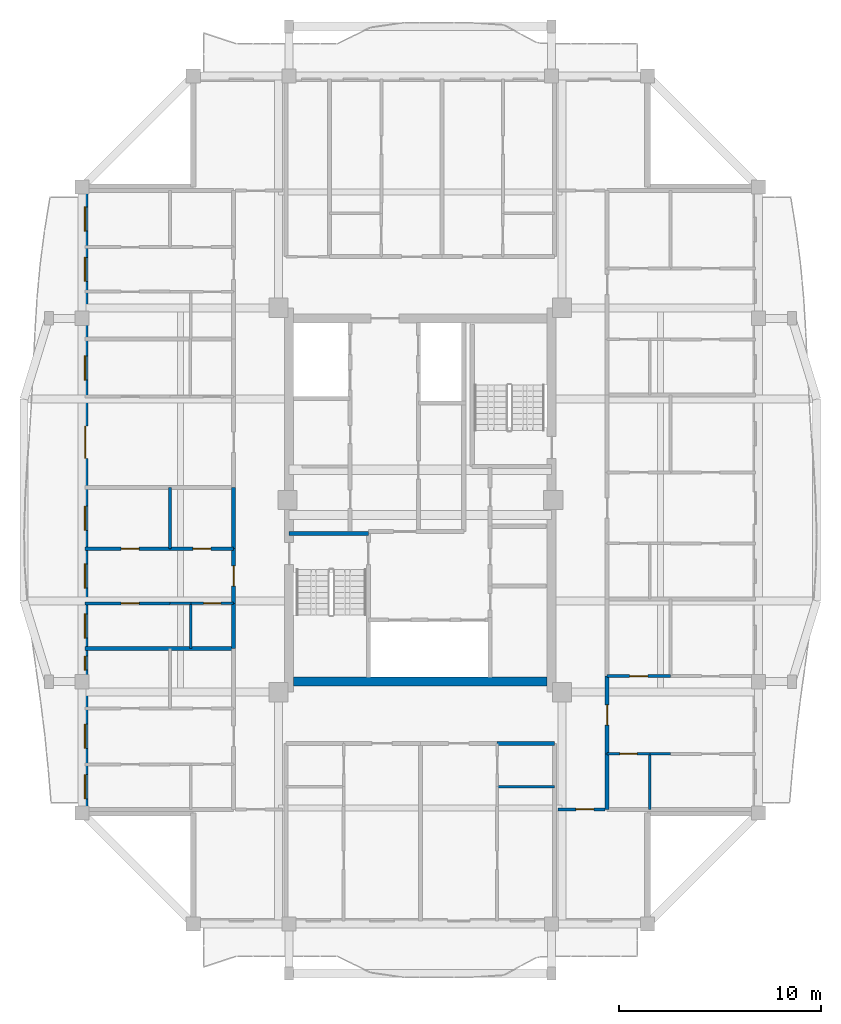
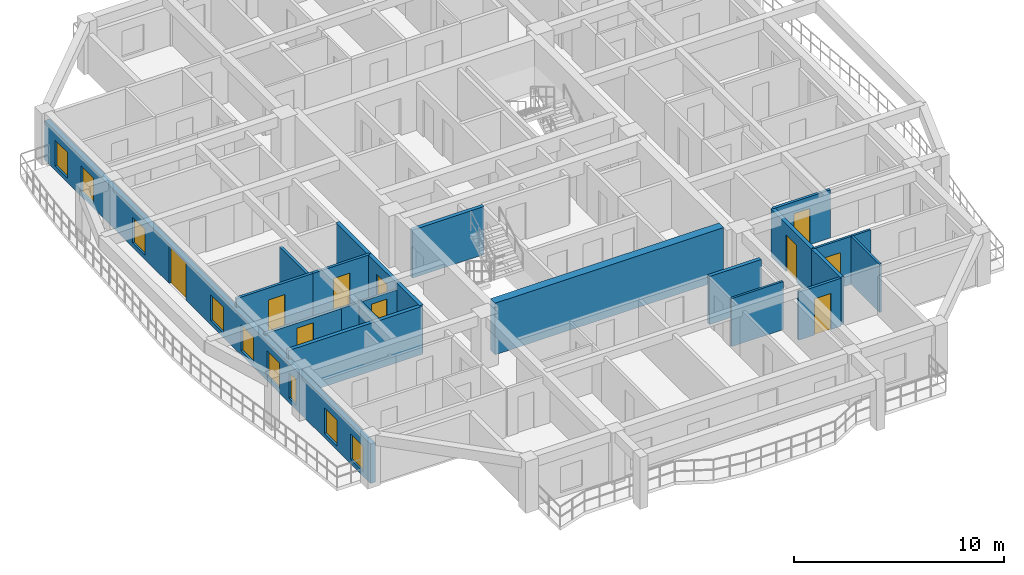
# One storey, part 3 of 14: 23 walls, 10 doors, 9 windows, 19 openings.
"""IFC4 building model written with IfcOpenShell, lengths in metres."""

from ifc_helpers import new_model, si_unit, direction, frame, frame_2d, origin, place, context, subcontext, project, spatial, rectangle, extrude, source, transform, mapped, material, layer, layer_set, type_object, element, fill, save


model = new_model("IFC4")

# Units and contexts
model_context = context("Model", 3, precision=1e-05, world=origin(), true_north=direction((0.0, 1.0)))
body_context = subcontext(model_context, "Body", "Model", "MODEL_VIEW")
ifc_project = project(units=[si_unit("LENGTHUNIT", "METRE"), si_unit("AREAUNIT", "SQUARE_METRE"), si_unit("VOLUMEUNIT", "CUBIC_METRE"), si_unit("PLANEANGLEUNIT", "RADIAN"), si_unit("MASSUNIT", "GRAM", prefix="KILO")], contexts=[model_context])

# Site, building, storey
site_placement = place(None, origin())
site = spatial("IfcSite", under=ifc_project, at=site_placement, CompositionType="ELEMENT")
building_placement = place(site_placement, origin())
building = spatial("IfcBuilding", under=site, at=building_placement, Name="Saelheon Loggia Tower", CompositionType="ELEMENT")
storey_placement = place(building_placement, frame((0.0, 0.0, 233.10009765625)))
storey = spatial("IfcBuildingStorey", under=building, at=storey_placement, Name="L72", CompositionType="ELEMENT", Elevation=233.10009765625)

# Wall
ifc_material_1 = material(Name="Concrete C45/55", Category="concrete")
ifc_layer_1 = layer(ifc_material_1, 0.449951171875)
ifc_layer_set_1 = layer_set([ifc_layer_1], Name="Concrete C45/55")
wall_type_1 = type_object("IfcWallType", Name="Wall_CoreShear_450", PredefinedType="SHEAR", material=ifc_layer_set_1)
wall_1_placement = place(storey_placement, frame((31.72509765625, 18.0, 0.0), z_axis=(0.0, 0.0, 1.0), x_axis=(1.0, 0.0, 0.0)))
element("IfcWall", 1, at=wall_1_placement, inside=storey, type_object=wall_type_1, Name="L72 Core Shear Wall South", PredefinedType="SHEAR", context=body_context, shape_type="SweptSolid", body=[
    extrude(rectangle(XDim=12.5498046875, YDim=0.449951171875, at=frame_2d((6.27490234375, 0.0))), origin(), (0.0, 0.0, 1.0), 3.0),
])

# Wall, openings, windows, door
ifc_material_2 = material(Name="Architectural Precast Concrete C40/50", Category="concrete")
ifc_layer_2 = layer(ifc_material_2, 0.280029296875)
ifc_layer_set_2 = layer_set([ifc_layer_2], Name="Architectural Precast Concrete C40/50")
wall_type_2 = type_object("IfcWallType", Name="Wall_Ext_Loggia_280", PredefinedType="SOLIDWALL", material=ifc_layer_set_2)
wall_2_placement = place(storey_placement, frame((21.389892578125, 11.5, 0.0), z_axis=(0.0, 0.0, 1.0), x_axis=(0.0, 1.0, 0.0)))
wall_2 = element("IfcWall", 2, at=wall_2_placement, inside=storey, type_object=wall_type_2, Name="L72 West Loggia Inner Wall", PredefinedType="SOLIDWALL", context=body_context, shape_type="SweptSolid", body=[
    extrude(rectangle(XDim=31.0, YDim=0.280029296875, at=frame_2d((15.5, 0.0))), origin(), (0.0, 0.0, 1.0), 2.27978515625),
])
opening_1_placement = place(wall_2_placement, frame((0.7001953125, 0.0, 0.25)))
opening_1 = element("IfcOpeningElement", 3, at=opening_1_placement, cuts=wall_2, Name="Opening WN-03", PredefinedType="OPENING", context=body_context, shape_type="SweptSolid", body=[
    extrude(rectangle(XDim=1.199951171875, YDim=1.5, at=frame_2d((0.60009765625, 0.75))), frame((0.0, 0.152099609375, 0.0), z_axis=(0.0, -1.0, 0.0), x_axis=(1.0, 0.0, 0.0)), (0.0, 0.0, 1.0), 0.303955078125),
])
opening_2_placement = place(wall_2_placement, frame((3.1953125, 0.0, 0.25)))
opening_2 = element("IfcOpeningElement", 4, at=opening_2_placement, cuts=wall_2, Name="Opening WN-03", PredefinedType="OPENING", context=body_context, shape_type="SweptSolid", body=[
    extrude(rectangle(XDim=1.199951171875, YDim=1.5, at=frame_2d((0.60009765625, 0.75))), frame((0.0, 0.152099609375, 0.0), z_axis=(0.0, -1.0, 0.0), x_axis=(1.0, 0.0, 0.0)), (0.0, 0.0, 1.0), 0.303955078125),
])
opening_3_placement = place(wall_2_placement, frame((7.068115234375, 0.0, 0.25)))
opening_3 = element("IfcOpeningElement", 5, at=opening_3_placement, cuts=wall_2, Name="Opening WN-06", PredefinedType="OPENING", context=body_context, shape_type="SweptSolid", body=[
    extrude(rectangle(XDim=0.699951171875, YDim=1.5, at=frame_2d((0.35009765625, 0.75))), frame((0.0, 0.152099609375, 0.0), z_axis=(0.0, -1.0, 0.0), x_axis=(1.0, 0.0, 0.0)), (0.0, 0.0, 1.0), 0.303955078125),
])
opening_4_placement = place(wall_2_placement, frame((8.66162109375, 0.0, 0.25)))
opening_4 = element("IfcOpeningElement", 6, at=opening_4_placement, cuts=wall_2, Name="Opening WN-03", PredefinedType="OPENING", context=body_context, shape_type="SweptSolid", body=[
    extrude(rectangle(XDim=1.199951171875, YDim=1.5, at=frame_2d((0.60009765625, 0.75))), frame((0.0, 0.152099609375, 0.0), z_axis=(0.0, -1.0, 0.0), x_axis=(1.0, 0.0, 0.0)), (0.0, 0.0, 1.0), 0.303955078125),
])
opening_5_placement = place(wall_2_placement, frame((11.13134765625, 0.0, 0.25)))
opening_5 = element("IfcOpeningElement", 7, at=opening_5_placement, cuts=wall_2, Name="Opening WN-03", PredefinedType="OPENING", context=body_context, shape_type="SweptSolid", body=[
    extrude(rectangle(XDim=1.199951171875, YDim=1.5, at=frame_2d((0.60009765625, 0.75))), frame((0.0, 0.152099609375, 0.0), z_axis=(0.0, -1.0, 0.0), x_axis=(1.0, 0.0, 0.0)), (0.0, 0.0, 1.0), 0.303955078125),
])
opening_6_placement = place(wall_2_placement, frame((13.999267578125, 0.0, 0.25)))
opening_6 = element("IfcOpeningElement", 8, at=opening_6_placement, cuts=wall_2, Name="Opening WN-03", PredefinedType="OPENING", context=body_context, shape_type="SweptSolid", body=[
    extrude(rectangle(XDim=1.199951171875, YDim=1.5, at=frame_2d((0.60009765625, 0.75))), frame((0.0, 0.152099609375, 0.0), z_axis=(0.0, -1.0, 0.0), x_axis=(1.0, 0.0, 0.0)), (0.0, 0.0, 1.0), 0.303955078125),
])
opening_7_placement = place(wall_2_placement, frame((17.564697265625, 0.0, 0.0)))
opening_7 = element("IfcOpeningElement", 9, at=opening_7_placement, cuts=wall_2, Name="Opening DLG-1", PredefinedType="OPENING", context=body_context, shape_type="SweptSolid", body=[
    extrude(rectangle(XDim=1.60009765625, YDim=2.14990234375, at=frame_2d((0.800048828125, 1.074951171875))), frame((0.0, 0.152099609375, 0.0), z_axis=(0.0, -1.0, 0.0), x_axis=(1.0, 0.0, 0.0)), (0.0, 0.0, 1.0), 0.303955078125),
])
opening_8_placement = place(wall_2_placement, frame((21.44140625, 0.0, 0.25)))
opening_8 = element("IfcOpeningElement", 10, at=opening_8_placement, cuts=wall_2, Name="Opening WN-03", PredefinedType="OPENING", context=body_context, shape_type="SweptSolid", body=[
    extrude(rectangle(XDim=1.199951171875, YDim=1.5, at=frame_2d((0.60009765625, 0.75))), frame((0.0, 0.152099609375, 0.0), z_axis=(0.0, -1.0, 0.0), x_axis=(1.0, 0.0, 0.0)), (0.0, 0.0, 1.0), 0.303955078125),
])
opening_9_placement = place(wall_2_placement, frame((26.32275390625, 0.0, 0.25)))
opening_9 = element("IfcOpeningElement", 11, at=opening_9_placement, cuts=wall_2, Name="Opening WN-03", PredefinedType="OPENING", context=body_context, shape_type="SweptSolid", body=[
    extrude(rectangle(XDim=1.199951171875, YDim=1.5, at=frame_2d((0.60009765625, 0.75))), frame((0.0, 0.152099609375, 0.0), z_axis=(0.0, -1.0, 0.0), x_axis=(1.0, 0.0, 0.0)), (0.0, 0.0, 1.0), 0.303955078125),
])
opening_10_placement = place(wall_2_placement, frame((28.81787109375, 0.0, 0.25)))
opening_10 = element("IfcOpeningElement", 12, at=opening_10_placement, cuts=wall_2, Name="Opening WN-03", PredefinedType="OPENING", context=body_context, shape_type="SweptSolid", body=[
    extrude(rectangle(XDim=1.199951171875, YDim=1.5, at=frame_2d((0.60009765625, 0.75))), frame((0.0, 0.152099609375, 0.0), z_axis=(0.0, -1.0, 0.0), x_axis=(1.0, 0.0, 0.0)), (0.0, 0.0, 1.0), 0.303955078125),
])
ifc_material_3 = material(Name="Thermal-Break Aluminium and Triple Low-E Glass", Category="aluminium")
window_type_1 = type_object("IfcWindowType", Name="Win_Slot_700x1500", PartitioningType="SINGLE_PANEL", PredefinedType="WINDOW", material=ifc_material_3)
shared_shape_1 = source(origin(), body_context, "Body", "SweptSolid", [
    extrude(rectangle(XDim=0.699951171875, YDim=1.5, at=frame_2d((0.35009765625, 0.75))), frame((0.0, 0.030029296875, 0.0), z_axis=(0.0, -1.0, 0.0), x_axis=(1.0, 0.0, 0.0)), (0.0, 0.0, 1.0), 0.06005859375),
])
window_1_placement = place(opening_3_placement, origin())
window_1 = element("IfcWindow", 13, at=window_1_placement, inside=storey, type_object=window_type_1, Name="L72 W Dwelling Window 3", OverallHeight=1.5, OverallWidth=0.699951171875, PartitioningType="SINGLE_PANEL", PredefinedType="WINDOW", context=body_context, shape_type="MappedRepresentation", body=[
    mapped(shared_shape_1, transform((0.0, 0.0, 0.0), scale=1.0)),
])
fill(opening_3, window_1)
window_type_2 = type_object("IfcWindowType", Name="Win_Bedroom_1200x1500", PartitioningType="SINGLE_PANEL", PredefinedType="WINDOW", material=ifc_material_3)
shared_shape_2 = source(origin(), body_context, "Body", "SweptSolid", [
    extrude(rectangle(XDim=1.199951171875, YDim=1.5, at=frame_2d((0.60009765625, 0.75))), frame((0.0, 0.030029296875, 0.0), z_axis=(0.0, -1.0, 0.0), x_axis=(1.0, 0.0, 0.0)), (0.0, 0.0, 1.0), 0.06005859375),
])
window_2_placement = place(opening_1_placement, origin())
window_2 = element("IfcWindow", 14, at=window_2_placement, inside=storey, type_object=window_type_2, Name="L72 W Dwelling Window 1", OverallHeight=1.5, OverallWidth=1.199951171875, PartitioningType="SINGLE_PANEL", PredefinedType="WINDOW", context=body_context, shape_type="MappedRepresentation", body=[
    mapped(shared_shape_2, transform((0.0, 0.0, 0.0), scale=1.0)),
])
fill(opening_1, window_2)
window_3_placement = place(opening_2_placement, origin())
window_3 = element("IfcWindow", 15, at=window_3_placement, inside=storey, type_object=window_type_2, Name="L72 W Dwelling Window 2", OverallHeight=1.5, OverallWidth=1.199951171875, PartitioningType="SINGLE_PANEL", PredefinedType="WINDOW", context=body_context, shape_type="MappedRepresentation", body=[
    mapped(shared_shape_2, transform((0.0, 0.0, 0.0), scale=1.0)),
])
fill(opening_2, window_3)
window_4_placement = place(opening_4_placement, origin())
window_4 = element("IfcWindow", 16, at=window_4_placement, inside=storey, type_object=window_type_2, Name="L72 W Dwelling Window 4", OverallHeight=1.5, OverallWidth=1.199951171875, PartitioningType="SINGLE_PANEL", PredefinedType="WINDOW", context=body_context, shape_type="MappedRepresentation", body=[
    mapped(shared_shape_2, transform((0.0, 0.0, 0.0), scale=1.0)),
])
fill(opening_4, window_4)
window_5_placement = place(opening_5_placement, origin())
window_5 = element("IfcWindow", 17, at=window_5_placement, inside=storey, type_object=window_type_2, Name="L72 W Dwelling Window 5", OverallHeight=1.5, OverallWidth=1.199951171875, PartitioningType="SINGLE_PANEL", PredefinedType="WINDOW", context=body_context, shape_type="MappedRepresentation", body=[
    mapped(shared_shape_2, transform((0.0, 0.0, 0.0), scale=1.0)),
])
fill(opening_5, window_5)
window_6_placement = place(opening_6_placement, origin())
window_6 = element("IfcWindow", 18, at=window_6_placement, inside=storey, type_object=window_type_2, Name="L72 W Dwelling Window 6", OverallHeight=1.5, OverallWidth=1.199951171875, PartitioningType="SINGLE_PANEL", PredefinedType="WINDOW", context=body_context, shape_type="MappedRepresentation", body=[
    mapped(shared_shape_2, transform((0.0, 0.0, 0.0), scale=1.0)),
])
fill(opening_6, window_6)
window_7_placement = place(opening_8_placement, origin())
window_7 = element("IfcWindow", 19, at=window_7_placement, inside=storey, type_object=window_type_2, Name="L72 W Dwelling Window 8", OverallHeight=1.5, OverallWidth=1.199951171875, PartitioningType="SINGLE_PANEL", PredefinedType="WINDOW", context=body_context, shape_type="MappedRepresentation", body=[
    mapped(shared_shape_2, transform((0.0, 0.0, 0.0), scale=1.0)),
])
fill(opening_8, window_7)
window_8_placement = place(opening_9_placement, origin())
window_8 = element("IfcWindow", 20, at=window_8_placement, inside=storey, type_object=window_type_2, Name="L72 W Dwelling Window 9", OverallHeight=1.5, OverallWidth=1.199951171875, PartitioningType="SINGLE_PANEL", PredefinedType="WINDOW", context=body_context, shape_type="MappedRepresentation", body=[
    mapped(shared_shape_2, transform((0.0, 0.0, 0.0), scale=1.0)),
])
fill(opening_9, window_8)
window_9_placement = place(opening_10_placement, origin())
window_9 = element("IfcWindow", 21, at=window_9_placement, inside=storey, type_object=window_type_2, Name="L72 W Dwelling Window 10", OverallHeight=1.5, OverallWidth=1.199951171875, PartitioningType="SINGLE_PANEL", PredefinedType="WINDOW", context=body_context, shape_type="MappedRepresentation", body=[
    mapped(shared_shape_2, transform((0.0, 0.0, 0.0), scale=1.0)),
])
fill(opening_10, window_9)
ifc_material_4 = material(Name="Thermal-Break Aluminium Sliding Glazed Door", Category="aluminium")
door_type_1 = type_object("IfcDoorType", Name="Door_LoggiaSlide_1600", OperationType="SLIDING_TO_LEFT", PredefinedType="DOOR", material=ifc_material_4)
shared_shape_3 = source(origin(), body_context, "Body", "SweptSolid", [
    extrude(rectangle(XDim=1.60009765625, YDim=2.14990234375, at=frame_2d((0.800048828125, 1.074951171875))), frame((0.0, 0.02490234375, 0.0), z_axis=(0.0, -1.0, 0.0), x_axis=(1.0, 0.0, 0.0)), (0.0, 0.0, 1.0), 0.050048828125),
])
door_1_placement = place(opening_7_placement, origin())
door_1 = element("IfcDoor", 22, at=door_1_placement, inside=storey, type_object=door_type_1, Name="L72 W Loggia Access Door", OperationType="SLIDING_TO_LEFT", OverallHeight=2.14990234375, OverallWidth=1.60009765625, PredefinedType="DOOR", context=body_context, shape_type="MappedRepresentation", body=[
    mapped(shared_shape_3, transform((0.0, 0.0, 0.0), scale=1.0)),
])
fill(opening_7, door_1)

# Wall, opening, door
ifc_material_5 = material(Name="Lightweight Autoclaved Aerated Concrete Block and Acoustic Gypsum", Category="concrete")
ifc_layer_3 = layer(ifc_material_5, 0.14990234375)
ifc_layer_set_3 = layer_set([ifc_layer_3], Name="Lightweight Autoclaved Aerated Concrete Block and Acoustic Gypsum")
wall_type_3 = type_object("IfcWallType", Name="Wall_Part_150", PredefinedType="PARTITIONING", material=ifc_layer_set_3)
wall_3_placement = place(storey_placement, frame((44.820068359375, 11.679931640625, 0.0), z_axis=(0.0, 0.0, 1.0), x_axis=(1.0, 0.0, 0.0)))
wall_3 = element("IfcWall", 23, at=wall_3_placement, inside=storey, type_object=wall_type_3, Name="PW-L72-CSE-H", PredefinedType="PARTITIONING", context=body_context, shape_type="SweptSolid", body=[
    extrude(rectangle(XDim=2.329833984375, YDim=0.14990234375, at=frame_2d((1.1650390625, 0.0))), origin(), (0.0, 0.0, 1.0), 2.789794921875),
])
opening_11_placement = place(wall_3_placement, frame((0.8798828125, 0.0, 0.0)))
opening_11 = element("IfcOpeningElement", 24, at=opening_11_placement, cuts=wall_3, Name="Opening D-IN2", PredefinedType="OPENING", context=body_context, shape_type="SweptSolid", body=[
    extrude(rectangle(XDim=0.89990234375, YDim=2.10009765625, at=frame_2d((0.449951171875, 1.050048828125))), frame((0.0, 0.0869140625, 0.0), z_axis=(0.0, -1.0, 0.0), x_axis=(1.0, 0.0, 0.0)), (0.0, 0.0, 1.0), 0.173828125),
])
ifc_material_6 = material(Name="Engineered Oak Flush Door", Category="timber")
door_type_2 = type_object("IfcDoorType", Name="Door_Int_900", OperationType="NOTDEFINED", PredefinedType="DOOR", material=ifc_material_6)
shared_shape_4 = source(origin(), body_context, "Body", "SweptSolid", [
    extrude(rectangle(XDim=0.89990234375, YDim=2.10009765625, at=frame_2d((0.449951171875, 1.050048828125))), frame((0.0, 0.02490234375, 0.0), z_axis=(0.0, -1.0, 0.0), x_axis=(1.0, 0.0, 0.0)), (0.0, 0.0, 1.0), 0.050048828125),
])
door_2_placement = place(opening_11_placement, origin())
door_2 = element("IfcDoor", 25, at=door_2_placement, inside=storey, type_object=door_type_2, Name="L72 Corner Reading Room SE Door", OperationType="SINGLE_SWING_LEFT", OverallHeight=2.10009765625, OverallWidth=0.89990234375, PredefinedType="DOOR", context=body_context, shape_type="MappedRepresentation", body=[
    mapped(shared_shape_4, transform((0.0, 0.0, 0.0), scale=1.0)),
])
fill(opening_11, door_2)

# Wall
wall_4_placement = place(storey_placement, frame((25.610107421875, 24.585693359375, 0.0), z_axis=(0.0, 0.0, 1.0), x_axis=(0.0, 1.0, 0.0)))
element("IfcWall", 26, at=wall_4_placement, inside=storey, type_object=wall_type_3, Name="L72 W Partition V18", PredefinedType="PARTITIONING", context=body_context, shape_type="SweptSolid", body=[
    extrude(rectangle(XDim=3.027099609375, YDim=0.14990234375, at=frame_2d((1.513671875, 0.0))), origin(), (0.0, 0.0, 1.0), 2.489990234375),
])

# Wall, opening, door
wall_5_placement = place(storey_placement, frame((25.610107421875, 21.876953125, 0.0), z_axis=(0.0, 0.0, 1.0), x_axis=(-1.0, 0.0, 0.0)))
wall_5 = element("IfcWall", 27, at=wall_5_placement, inside=storey, type_object=wall_type_3, Name="L72 W Partition U21", PredefinedType="PARTITIONING", context=body_context, shape_type="SweptSolid", body=[
    extrude(rectangle(XDim=4.210205078125, YDim=0.14990234375, at=frame_2d((2.10498046875, 0.0))), origin(), (0.0, 0.0, 1.0), 2.389892578125),
])
opening_12_placement = place(wall_5_placement, frame((1.537109375, 0.0, 0.0)))
opening_12 = element("IfcOpeningElement", 28, at=opening_12_placement, cuts=wall_5, Name="Opening D-IN2", PredefinedType="OPENING", context=body_context, shape_type="SweptSolid", body=[
    extrude(rectangle(XDim=0.89990234375, YDim=2.10009765625, at=frame_2d((0.449951171875, 1.050048828125))), frame((0.0, 0.0869140625, 0.0), z_axis=(0.0, -1.0, 0.0), x_axis=(1.0, 0.0, 0.0)), (0.0, 0.0, 1.0), 0.173828125),
])
door_3_placement = place(opening_12_placement, origin())
door_3 = element("IfcDoor", 29, at=door_3_placement, inside=storey, type_object=door_type_2, Name="Unit U06 Kitchen Door", OperationType="SINGLE_SWING_LEFT", OverallHeight=2.10009765625, OverallWidth=0.89990234375, PredefinedType="DOOR", context=body_context, shape_type="MappedRepresentation", body=[
    mapped(shared_shape_4, transform((0.0, 0.0, 0.0), scale=1.0)),
])
fill(opening_12, door_3)

wall_6_placement = place(storey_placement, frame((28.75, 24.585693359375, 0.0), z_axis=(0.0, 0.0, 1.0), x_axis=(-1.0, 0.0, 0.0)))
wall_6 = element("IfcWall", 30, at=wall_6_placement, inside=storey, type_object=wall_type_3, Name="L72 W Partition U22", PredefinedType="PARTITIONING", context=body_context, shape_type="SweptSolid", body=[
    extrude(rectangle(XDim=3.139892578125, YDim=0.14990234375, at=frame_2d((1.56982421875, 0.0))), origin(), (0.0, 0.0, 1.0), 2.789794921875),
])
opening_13_placement = place(wall_6_placement, frame((1.1201171875, 0.0, 0.0)))
opening_13 = element("IfcOpeningElement", 31, at=opening_13_placement, cuts=wall_6, Name="Opening D-IN2", PredefinedType="OPENING", context=body_context, shape_type="SweptSolid", body=[
    extrude(rectangle(XDim=0.89990234375, YDim=2.10009765625, at=frame_2d((0.449951171875, 1.050048828125))), frame((0.0, 0.0869140625, 0.0), z_axis=(0.0, -1.0, 0.0), x_axis=(1.0, 0.0, 0.0)), (0.0, 0.0, 1.0), 0.173828125),
])
door_4_placement = place(opening_13_placement, origin())
door_4 = element("IfcDoor", 32, at=door_4_placement, inside=storey, type_object=door_type_2, Name="Unit U06 Dressing Closet Door", OperationType="SINGLE_SWING_RIGHT", OverallHeight=2.10009765625, OverallWidth=0.89990234375, PredefinedType="DOOR", context=body_context, shape_type="MappedRepresentation", body=[
    mapped(shared_shape_4, transform((0.0, 0.0, 0.0), scale=1.0)),
])
fill(opening_13, door_4)

wall_7_placement = place(storey_placement, frame((25.610107421875, 24.585693359375, 0.0), z_axis=(0.0, 0.0, 1.0), x_axis=(-1.0, 0.0, 0.0)))
wall_7 = element("IfcWall", 33, at=wall_7_placement, inside=storey, type_object=wall_type_3, Name="L72 W Partition U23", PredefinedType="PARTITIONING", context=body_context, shape_type="SweptSolid", body=[
    extrude(rectangle(XDim=4.210205078125, YDim=0.14990234375, at=frame_2d((2.10498046875, 0.0))), origin(), (0.0, 0.0, 1.0), 2.789794921875),
])
opening_14_placement = place(wall_7_placement, frame((1.537109375, 0.0, 0.0)))
opening_14 = element("IfcOpeningElement", 34, at=opening_14_placement, cuts=wall_7, Name="Opening D-IN2", PredefinedType="OPENING", context=body_context, shape_type="SweptSolid", body=[
    extrude(rectangle(XDim=0.89990234375, YDim=2.10009765625, at=frame_2d((0.449951171875, 1.050048828125))), frame((0.0, 0.0869140625, 0.0), z_axis=(0.0, -1.0, 0.0), x_axis=(1.0, 0.0, 0.0)), (0.0, 0.0, 1.0), 0.173828125),
])
door_5_placement = place(opening_14_placement, origin())
door_5 = element("IfcDoor", 35, at=door_5_placement, inside=storey, type_object=door_type_2, Name="Unit U06 Bedroom 1 Door", OperationType="SINGLE_SWING_LEFT", OverallHeight=2.10009765625, OverallWidth=0.89990234375, PredefinedType="DOOR", context=body_context, shape_type="MappedRepresentation", body=[
    mapped(shared_shape_4, transform((0.0, 0.0, 0.0), scale=1.0)),
])
fill(opening_14, door_5)

wall_8_placement = place(storey_placement, frame((47.25, 18.280029296875, 0.0), z_axis=(0.0, 0.0, 1.0), x_axis=(1.0, 0.0, 0.0)))
wall_8 = element("IfcWall", 36, at=wall_8_placement, inside=storey, type_object=wall_type_3, Name="L72 E Partition U11", PredefinedType="PARTITIONING", context=body_context, shape_type="SweptSolid", body=[
    extrude(rectangle(XDim=3.139892578125, YDim=0.14990234375, at=frame_2d((1.56982421875, 0.0))), origin(), (0.0, 0.0, 1.0), 2.789794921875),
])
opening_15_placement = place(wall_8_placement, frame((1.1201171875, 0.0, 0.0)))
opening_15 = element("IfcOpeningElement", 37, at=opening_15_placement, cuts=wall_8, Name="Opening D-IN2", PredefinedType="OPENING", context=body_context, shape_type="SweptSolid", body=[
    extrude(rectangle(XDim=0.89990234375, YDim=2.10009765625, at=frame_2d((0.449951171875, 1.050048828125))), frame((0.0, 0.0869140625, 0.0), z_axis=(0.0, -1.0, 0.0), x_axis=(1.0, 0.0, 0.0)), (0.0, 0.0, 1.0), 0.173828125),
])
door_6_placement = place(opening_15_placement, origin())
door_6 = element("IfcDoor", 38, at=door_6_placement, inside=storey, type_object=door_type_2, Name="Unit U09 Private Study Door", OperationType="SINGLE_SWING_LEFT", OverallHeight=2.10009765625, OverallWidth=0.89990234375, PredefinedType="DOOR", context=body_context, shape_type="MappedRepresentation", body=[
    mapped(shared_shape_4, transform((0.0, 0.0, 0.0), scale=1.0)),
])
fill(opening_15, door_6)

# Walls
ifc_material_7 = material(Name="Double Acoustic Stud and Fireboard Partition", Category="gypsum")
ifc_layer_4 = layer(ifc_material_7, 0.199951171875)
ifc_layer_set_4 = layer_set([ifc_layer_4], Name="Double Acoustic Stud and Fireboard Partition")
wall_type_4 = type_object("IfcWallType", Name="Wall_Party_200", PredefinedType="PARTITIONING", material=ifc_layer_set_4)
wall_9_placement = place(storey_placement, frame((41.800048828125, 14.949951171875, 0.0), z_axis=(0.0, 0.0, 1.0), x_axis=(1.0, 0.0, 0.0)))
element("IfcWall", 39, at=wall_9_placement, inside=storey, type_object=wall_type_4, Name="L72 S Partition V11", PredefinedType="PARTITIONING", context=body_context, shape_type="SweptSolid", body=[
    extrude(rectangle(XDim=2.849853515625, YDim=0.199951171875, at=frame_2d((1.4248046875, 0.0))), origin(), (0.0, 0.0, 1.0), 2.789794921875),
])
wall_10_placement = place(storey_placement, frame((28.75, 19.646484375, 0.0), z_axis=(0.0, 0.0, 1.0), x_axis=(-1.0, 0.0, 0.0)))
element("IfcWall", 40, at=wall_10_placement, inside=storey, type_object=wall_type_4, Name="L72 W Partition U13", PredefinedType="PARTITIONING", context=body_context, shape_type="SweptSolid", body=[
    extrude(rectangle(XDim=7.35009765625, YDim=0.199951171875, at=frame_2d((3.675048828125, 0.0))), origin(), (0.0, 0.0, 1.0), 2.789794921875),
])
wall_11_placement = place(storey_placement, frame((28.75, 19.646484375, 0.0), z_axis=(0.0, 0.0, 1.0), x_axis=(0.0, 1.0, 0.0)))
element("IfcWall", 41, at=wall_11_placement, inside=storey, type_object=wall_type_4, Name="L72 W Partition V14", PredefinedType="PARTITIONING", context=body_context, shape_type="SweptSolid", body=[
    extrude(rectangle(XDim=2.23046875, YDim=0.199951171875, at=frame_2d((1.115234375, 0.0))), origin(), (0.0, 0.0, 1.0), 2.789794921875),
])

# Wall, opening, door
wall_12_placement = place(storey_placement, frame((28.75, 21.876953125, 0.0), z_axis=(0.0, 0.0, 1.0), x_axis=(0.0, 1.0, 0.0)))
wall_12 = element("IfcWall", 42, at=wall_12_placement, inside=storey, type_object=wall_type_4, Name="L72 W Partition V15", PredefinedType="PARTITIONING", context=body_context, shape_type="SweptSolid", body=[
    extrude(rectangle(XDim=2.708740234375, YDim=0.199951171875, at=frame_2d((1.3544921875, 0.0))), origin(), (0.0, 0.0, 1.0), 2.789794921875),
])
opening_16_placement = place(wall_12_placement, frame((0.854248046875, 0.0, 0.0)))
opening_16 = element("IfcOpeningElement", 43, at=opening_16_placement, cuts=wall_12, Name="Opening D-FD1", PredefinedType="OPENING", context=body_context, shape_type="SweptSolid", body=[
    extrude(rectangle(XDim=1.0, YDim=2.14990234375, at=frame_2d((0.5, 1.074951171875))), frame((0.0, 0.112060546875, 0.0), z_axis=(0.0, -1.0, 0.0), x_axis=(1.0, 0.0, 0.0)), (0.0, 0.0, 1.0), 0.223876953125),
])
ifc_material_8 = material(Name="Fire-Rated Engineered Timber Entrance Door", Category="wood")
door_type_3 = type_object("IfcDoorType", Name="Door_Flat_FD30S", OperationType="NOTDEFINED", PredefinedType="DOOR", material=ifc_material_8)
shared_shape_5 = source(origin(), body_context, "Body", "SweptSolid", [
    extrude(rectangle(XDim=1.0, YDim=2.14990234375, at=frame_2d((0.5, 1.074951171875))), frame((0.0, 0.02490234375, 0.0), z_axis=(0.0, -1.0, 0.0), x_axis=(1.0, 0.0, 0.0)), (0.0, 0.0, 1.0), 0.050048828125),
])
door_7_placement = place(opening_16_placement, origin())
door_7 = element("IfcDoor", 44, at=door_7_placement, inside=storey, type_object=door_type_3, Name="Unit U06 Entrance Door", OperationType="SINGLE_SWING_LEFT", OverallHeight=2.14990234375, OverallWidth=1.0, PredefinedType="DOOR", context=body_context, shape_type="MappedRepresentation", body=[
    mapped(shared_shape_5, transform((0.0, 0.0, 0.0), scale=1.0)),
])
fill(opening_16, door_7)

# Walls
wall_13_placement = place(storey_placement, frame((28.75, 24.585693359375, 0.0), z_axis=(0.0, 0.0, 1.0), x_axis=(0.0, 1.0, 0.0)))
element("IfcWall", 45, at=wall_13_placement, inside=storey, type_object=wall_type_4, Name="L72 W Partition V16", PredefinedType="PARTITIONING", context=body_context, shape_type="SweptSolid", body=[
    extrude(rectangle(XDim=3.027099609375, YDim=0.199951171875, at=frame_2d((1.513671875, 0.0))), origin(), (0.0, 0.0, 1.0), 2.789794921875),
])
wall_14_placement = place(storey_placement, frame((47.25, 11.679931640625, 0.0), z_axis=(0.0, 0.0, 1.0), x_axis=(0.0, 1.0, 0.0)))
element("IfcWall", 46, at=wall_14_placement, inside=storey, type_object=wall_type_4, Name="L72 E Partition V03", PredefinedType="PARTITIONING", context=body_context, shape_type="SweptSolid", body=[
    extrude(rectangle(XDim=2.75, YDim=0.199951171875, at=frame_2d((1.375, 0.0))), origin(), (0.0, 0.0, 1.0), 2.789794921875),
])

# Wall, opening, door
wall_15_placement = place(storey_placement, frame((47.25, 14.429931640625, 0.0), z_axis=(0.0, 0.0, 1.0), x_axis=(0.0, 1.0, 0.0)))
wall_15 = element("IfcWall", 47, at=wall_15_placement, inside=storey, type_object=wall_type_4, Name="L72 E Partition V04", PredefinedType="PARTITIONING", context=body_context, shape_type="SweptSolid", body=[
    extrude(rectangle(XDim=3.85009765625, YDim=0.199951171875, at=frame_2d((1.925048828125, 0.0))), origin(), (0.0, 0.0, 1.0), 2.789794921875),
])
opening_17_placement = place(wall_15_placement, frame((1.425048828125, 0.0, 0.0)))
opening_17 = element("IfcOpeningElement", 48, at=opening_17_placement, cuts=wall_15, Name="Opening D-FD1", PredefinedType="OPENING", context=body_context, shape_type="SweptSolid", body=[
    extrude(rectangle(XDim=1.0, YDim=2.14990234375, at=frame_2d((0.5, 1.074951171875))), frame((0.0, 0.112060546875, 0.0), z_axis=(0.0, -1.0, 0.0), x_axis=(1.0, 0.0, 0.0)), (0.0, 0.0, 1.0), 0.223876953125),
])
door_8_placement = place(opening_17_placement, origin())
door_8 = element("IfcDoor", 49, at=door_8_placement, inside=storey, type_object=door_type_3, Name="Unit U09 Entrance Door", OperationType="SINGLE_SWING_RIGHT", OverallHeight=2.14990234375, OverallWidth=1.0, PredefinedType="DOOR", context=body_context, shape_type="MappedRepresentation", body=[
    mapped(shared_shape_5, transform((0.0, 0.0, 0.0), scale=1.0)),
])
fill(opening_17, door_8)

# Walls
ifc_layer_5 = layer(ifc_material_1, 0.199951171875)
ifc_layer_set_5 = layer_set([ifc_layer_5], Name="Concrete C45/55")
wall_type_5 = type_object("IfcWallType", Name="Wall_StairShaft_RC200", PredefinedType="SOLIDWALL", material=ifc_layer_set_5)
wall_16_placement = place(storey_placement, frame((31.5, 25.35009765625, 0.0), z_axis=(0.0, 0.0, 1.0), x_axis=(1.0, 0.0, 0.0)))
element("IfcWall", 50, at=wall_16_placement, inside=storey, type_object=wall_type_5, Name="L72 Stair ST1 North Wall", PredefinedType="SOLIDWALL", context=body_context, shape_type="SweptSolid", body=[
    extrude(rectangle(XDim=3.929931640625, YDim=0.199951171875, at=frame_2d((1.96484375, 0.0))), origin(), (0.0, 0.0, 1.0), 2.789794921875),
])
ifc_material_9 = material(Name="Moisture-Resistant Cement Board Partition", Category="gypsum")
ifc_layer_6 = layer(ifc_material_9, 0.1201171875)
ifc_layer_set_6 = layer_set([ifc_layer_6], Name="Moisture-Resistant Cement Board Partition")
wall_type_6 = type_object("IfcWallType", Name="Wall_WetPart_120", PredefinedType="PARTITIONING", material=ifc_layer_set_6)
wall_17_placement = place(storey_placement, frame((41.800048828125, 12.800048828125, 0.0), z_axis=(0.0, 0.0, 1.0), x_axis=(1.0, 0.0, 0.0)))
element("IfcWall", 51, at=wall_17_placement, inside=storey, type_object=wall_type_6, Name="L72 S Partition V14", PredefinedType="PARTITIONING", context=body_context, shape_type="SweptSolid", body=[
    extrude(rectangle(XDim=2.849853515625, YDim=0.1201171875, at=frame_2d((1.4248046875, 0.0))), origin(), (0.0, 0.0, 1.0), 2.789794921875),
])
wall_18_placement = place(storey_placement, frame((26.6298828125, 19.646484375, 0.0), z_axis=(0.0, 0.0, 1.0), x_axis=(0.0, 1.0, 0.0)))
element("IfcWall", 52, at=wall_18_placement, inside=storey, type_object=wall_type_6, Name="L72 W Partition V17", PredefinedType="PARTITIONING", context=body_context, shape_type="SweptSolid", body=[
    extrude(rectangle(XDim=2.23046875, YDim=0.1201171875, at=frame_2d((1.115234375, 0.0))), origin(), (0.0, 0.0, 1.0), 2.489990234375),
])

# Wall, opening, door
wall_19_placement = place(storey_placement, frame((28.75, 21.876953125, 0.0), z_axis=(0.0, 0.0, 1.0), x_axis=(-1.0, 0.0, 0.0)))
wall_19 = element("IfcWall", 53, at=wall_19_placement, inside=storey, type_object=wall_type_6, Name="L72 W Partition U19", PredefinedType="PARTITIONING", context=body_context, shape_type="SweptSolid", body=[
    extrude(rectangle(XDim=2.1201171875, YDim=0.1201171875, at=frame_2d((1.06005859375, 0.0))), origin(), (0.0, 0.0, 1.0), 2.389892578125),
])
opening_18_placement = place(wall_19_placement, frame((0.635009765625, 0.0, 0.0)))
opening_18 = element("IfcOpeningElement", 54, at=opening_18_placement, cuts=wall_19, Name="Opening D-BT1", PredefinedType="OPENING", context=body_context, shape_type="SweptSolid", body=[
    extrude(rectangle(XDim=0.85009765625, YDim=2.050048828125, at=frame_2d((0.425048828125, 1.02490234375))), frame((0.0, 0.072021484375, 0.0), z_axis=(0.0, -1.0, 0.0), x_axis=(1.0, 0.0, 0.0)), (0.0, 0.0, 1.0), 0.14404296875),
])
ifc_material_10 = material(Name="Moisture-Resistant Laminate Timber Door", Category="wood")
door_type_4 = type_object("IfcDoorType", Name="Door_Bath_850", OperationType="NOTDEFINED", PredefinedType="DOOR", material=ifc_material_10)
shared_shape_6 = source(origin(), body_context, "Body", "SweptSolid", [
    extrude(rectangle(XDim=0.85009765625, YDim=2.050048828125, at=frame_2d((0.425048828125, 1.02490234375))), frame((0.0, 0.02490234375, 0.0), z_axis=(0.0, -1.0, 0.0), x_axis=(1.0, 0.0, 0.0)), (0.0, 0.0, 1.0), 0.050048828125),
])
door_9_placement = place(opening_18_placement, origin())
door_9 = element("IfcDoor", 55, at=door_9_placement, inside=storey, type_object=door_type_4, Name="Unit U06 Bathroom Door", OperationType="SINGLE_SWING_RIGHT", OverallHeight=2.050048828125, OverallWidth=0.85009765625, PredefinedType="DOOR", context=body_context, shape_type="MappedRepresentation", body=[
    mapped(shared_shape_6, transform((0.0, 0.0, 0.0), scale=1.0)),
])
fill(opening_18, door_9)

# Walls
wall_20_placement = place(storey_placement, frame((26.6298828125, 21.876953125, 0.0), z_axis=(0.0, 0.0, 1.0), x_axis=(-1.0, 0.0, 0.0)))
element("IfcWall", 56, at=wall_20_placement, inside=storey, type_object=wall_type_6, Name="L72 W Partition U20", PredefinedType="PARTITIONING", context=body_context, shape_type="SweptSolid", body=[
    extrude(rectangle(XDim=1.019775390625, YDim=0.1201171875, at=frame_2d((0.509765625, 0.0))), origin(), (0.0, 0.0, 1.0), 2.389892578125),
])
wall_21_placement = place(storey_placement, frame((49.3701171875, 11.679931640625, 0.0), z_axis=(0.0, 0.0, 1.0), x_axis=(0.0, 1.0, 0.0)))
element("IfcWall", 57, at=wall_21_placement, inside=storey, type_object=wall_type_6, Name="L72 E Partition V06", PredefinedType="PARTITIONING", context=body_context, shape_type="SweptSolid", body=[
    extrude(rectangle(XDim=2.75, YDim=0.1201171875, at=frame_2d((1.375, 0.0))), origin(), (0.0, 0.0, 1.0), 2.789794921875),
])

# Wall, opening, door
wall_22_placement = place(storey_placement, frame((47.25, 14.429931640625, 0.0), z_axis=(0.0, 0.0, 1.0), x_axis=(1.0, 0.0, 0.0)))
wall_22 = element("IfcWall", 58, at=wall_22_placement, inside=storey, type_object=wall_type_6, Name="L72 E Partition U08", PredefinedType="PARTITIONING", context=body_context, shape_type="SweptSolid", body=[
    extrude(rectangle(XDim=2.1201171875, YDim=0.1201171875, at=frame_2d((1.06005859375, 0.0))), origin(), (0.0, 0.0, 1.0), 2.789794921875),
])
opening_19_placement = place(wall_22_placement, frame((0.635009765625, 0.0, 0.0)))
opening_19 = element("IfcOpeningElement", 59, at=opening_19_placement, cuts=wall_22, Name="Opening D-BT1", PredefinedType="OPENING", context=body_context, shape_type="SweptSolid", body=[
    extrude(rectangle(XDim=0.85009765625, YDim=2.050048828125, at=frame_2d((0.425048828125, 1.02490234375))), frame((0.0, 0.072021484375, 0.0), z_axis=(0.0, -1.0, 0.0), x_axis=(1.0, 0.0, 0.0)), (0.0, 0.0, 1.0), 0.14404296875),
])
door_10_placement = place(opening_19_placement, origin())
door_10 = element("IfcDoor", 60, at=door_10_placement, inside=storey, type_object=door_type_4, Name="Unit U09 Bathroom Door", OperationType="SINGLE_SWING_LEFT", OverallHeight=2.050048828125, OverallWidth=0.85009765625, PredefinedType="DOOR", context=body_context, shape_type="MappedRepresentation", body=[
    mapped(shared_shape_6, transform((0.0, 0.0, 0.0), scale=1.0)),
])
fill(opening_19, door_10)

# Wall
wall_23_placement = place(storey_placement, frame((49.3701171875, 14.429931640625, 0.0), z_axis=(0.0, 0.0, 1.0), x_axis=(1.0, 0.0, 0.0)))
element("IfcWall", 61, at=wall_23_placement, inside=storey, type_object=wall_type_6, Name="L72 E Partition U09", PredefinedType="PARTITIONING", context=body_context, shape_type="SweptSolid", body=[
    extrude(rectangle(XDim=1.019775390625, YDim=0.1201171875, at=frame_2d((0.509765625, 0.0))), origin(), (0.0, 0.0, 1.0), 2.789794921875),
])

save(model, "model.ifc")
